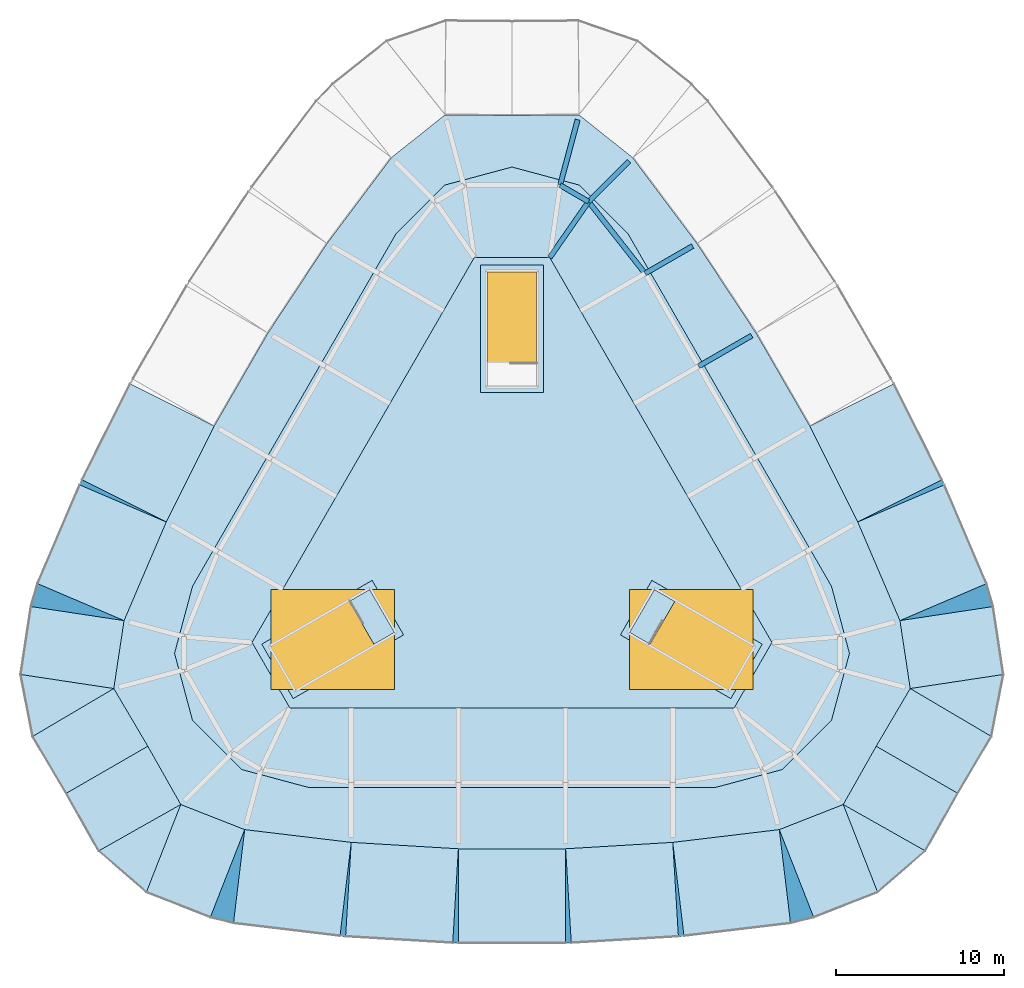
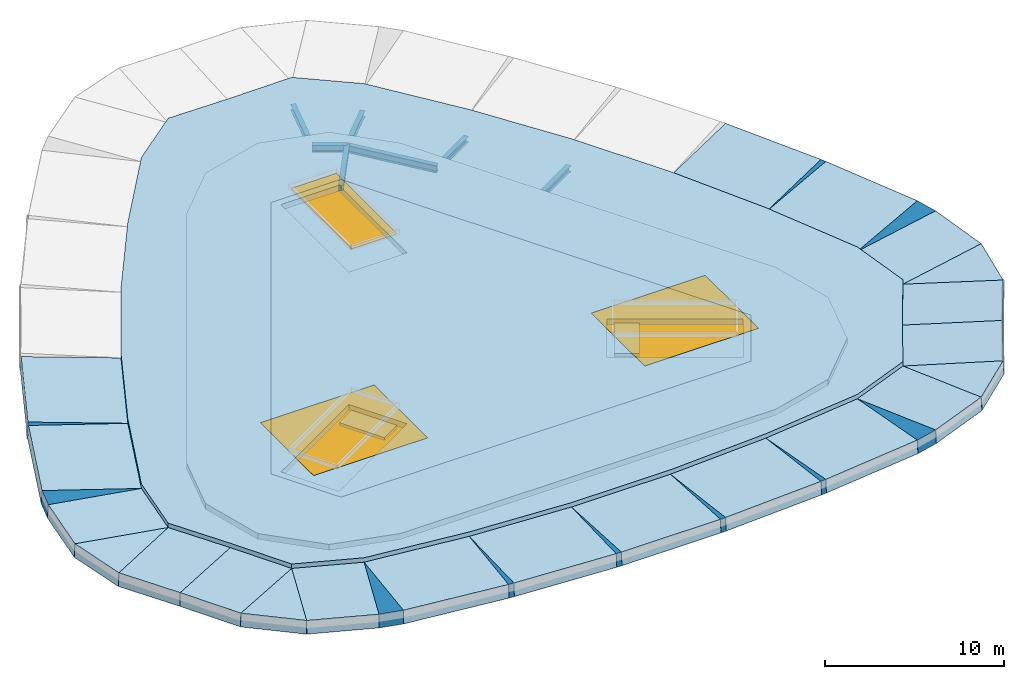
"""IFC4 building model written with IfcOpenShell, lengths in metres."""

import ifcopenshell
import ifcopenshell.guid

model = None  # the IFC model being written
_history = None  # IfcOwnerHistory: only IFC2X3 demands one
_inside = {}  # id of a spatial element -> (the spatial element, [elements in it])
_under = {}  # id of a project, library or spatial element -> (it, [spatial elements below it])
_declared = {}  # id of a project -> (the project, [libraries it declares])
_typed = {}  # id of a type object -> (the type object, [elements of that type])
_made_of = {}  # id of a material, layer set ... -> (it, [elements and type objects made of it])


def new_model(schema):
    """Start an empty IFC model of exactly this schema.

    Asked for "IFC4X3", IfcOpenShell would pick the latest addendum, in which some entities
    have other attributes; the version numbers below select the first issue.
    IFC2X3 requires an IfcOwnerHistory on every rooted entity: one is made here for all.
    """
    global model, _history
    if schema == "IFC4X3":
        model = ifcopenshell.file(schema_version=(4, 3, 0, 0))
    else:
        model = ifcopenshell.file(schema=schema)
    _inside.clear()
    _under.clear()
    _declared.clear()
    _typed.clear()
    _made_of.clear()
    _history = None
    if model.schema == "IFC2X3":
        org = make("IfcOrganization", Name="unknown")
        user = make(
            "IfcPersonAndOrganization",
            ThePerson=make("IfcPerson", FamilyName="unknown"),
            TheOrganization=org,
        )
        app = make(
            "IfcApplication",
            ApplicationDeveloper=org,
            Version="unknown",
            ApplicationFullName="unknown",
            ApplicationIdentifier="unknown",
        )
        _history = make(
            "IfcOwnerHistory",
            OwningUser=user,
            OwningApplication=app,
            ChangeAction="ADDED",
            CreationDate=0,
        )
    return model


def make(cls, **values):
    """One entity of the class cls with the attributes given. An attribute that is None is left unset."""
    return model.create_entity(
        cls, **{name: value for name, value in values.items() if value is not None}
    )


def rooted(cls, **values):
    """An entity with a GlobalId (a new one), such as an element, a storey or a relation."""
    return make(cls, GlobalId=ifcopenshell.guid.new(), OwnerHistory=_history, **values)


def si_unit(unit_type, name, prefix=None):
    """IfcSIUnit, for example si_unit("LENGTHUNIT", "METRE", prefix="MILLI")."""
    return make("IfcSIUnit", UnitType=unit_type, Prefix=prefix, Name=name)


def assignment(units):
    """IfcUnitAssignment: the units of a project."""
    return None if units is None else make("IfcUnitAssignment", Units=units)


def point(xyz):
    """IfcCartesianPoint."""
    return None if xyz is None else make("IfcCartesianPoint", Coordinates=xyz)


def direction(xyz):
    """IfcDirection."""
    return None if xyz is None else make("IfcDirection", DirectionRatios=xyz)


def frame(location, z_axis=None, x_axis=None):
    """IfcAxis2Placement3D, a coordinate frame: its origin and axes. An axis left out is left unset."""
    return make(
        "IfcAxis2Placement3D",
        Location=point(location),
        Axis=direction(z_axis),
        RefDirection=direction(x_axis),
    )


def frame_2d(location, x_axis=None):
    """IfcAxis2Placement2D, a coordinate frame in the plane: its origin and x axis."""
    return make(
        "IfcAxis2Placement2D", Location=point(location), RefDirection=direction(x_axis)
    )


def origin():
    """The frame at (0, 0, 0) with its axes left unset."""
    return frame((0.0, 0.0, 0.0))


def origin_2d():
    """The frame at (0, 0) in the plane with its x axis left unset."""
    return frame_2d((0.0, 0.0))


def place(relative_to, where):
    """IfcLocalPlacement: puts the frame where relative to a parent placement (None: the world)."""
    return make(
        "IfcLocalPlacement", PlacementRelTo=relative_to, RelativePlacement=where
    )


def context(
    kind, dimensions, precision=None, world=None, true_north=None, identifier=None
):
    """IfcGeometricRepresentationContext, for example the 3D "Model" context."""
    return make(
        "IfcGeometricRepresentationContext",
        ContextIdentifier=identifier,
        ContextType=kind,
        CoordinateSpaceDimension=dimensions,
        Precision=precision,
        WorldCoordinateSystem=world,
        TrueNorth=true_north,
    )


def subcontext(parent, identifier, kind, view, scale=None):
    """IfcGeometricRepresentationSubContext, for example "Body" below "Model"."""
    return make(
        "IfcGeometricRepresentationSubContext",
        ContextIdentifier=identifier,
        ContextType=kind,
        ParentContext=parent,
        TargetScale=scale,
        TargetView=view,
    )


def project(units=None, contexts=None):
    """IfcProject with its units and contexts."""
    return rooted(
        "IfcProject",
        Name="project",
        RepresentationContexts=contexts,
        UnitsInContext=assignment(units),
    )


def spatial(cls, under=None, at=None, **own):
    """A site, building, storey or space (cls), placed at a placement, below another one or the project."""
    s = rooted(cls, ObjectPlacement=at, **own)
    if under is not None:
        _under.setdefault(under.id(), (under, []))[1].append(s)
    return s


def polyline(points):
    """IfcPolyline through the points."""
    return make("IfcPolyline", Points=[point(p) for p in points])


def profile(cls, at=None, kind="AREA", **sizes):
    """A parametric profile (cls). Its sizes go by their IFC names, for example OverallWidth=200.0."""
    return make(cls, ProfileType=kind, Position=at, **sizes)


def rectangle(**sizes):
    """IfcRectangleProfileDef."""
    return profile("IfcRectangleProfileDef", **sizes)


def i_section(**sizes):
    """IfcIShapeProfileDef."""
    return profile("IfcIShapeProfileDef", **sizes)


def outline(outer, holes=None, kind="AREA"):
    """IfcArbitraryClosedProfileDef: a profile drawn as a closed curve; with holes, ...WithVoids."""
    if holes is None:
        return make("IfcArbitraryClosedProfileDef", ProfileType=kind, OuterCurve=outer)
    return make(
        "IfcArbitraryProfileDefWithVoids",
        ProfileType=kind,
        OuterCurve=outer,
        InnerCurves=holes,
    )


def extrude(swept, where, along, depth):
    """IfcExtrudedAreaSolid: the profile swept, set in the frame where, extruded along a direction by depth."""
    return make(
        "IfcExtrudedAreaSolid",
        SweptArea=swept,
        Position=where,
        ExtrudedDirection=direction(along),
        Depth=depth,
    )


def shape(context_of_items, identifier, shape_type, items):
    """IfcShapeRepresentation: the items that make up one representation, for example the "Body"."""
    return make(
        "IfcShapeRepresentation",
        ContextOfItems=context_of_items,
        RepresentationIdentifier=identifier,
        RepresentationType=shape_type,
        Items=items,
    )


def material(Name=None, Category=None):
    """IfcMaterial."""
    return make("IfcMaterial", Name=Name, Category=Category)


def layer(
    of_material, thickness, ventilated=None, Name=None, Category=None, Priority=None
):
    """IfcMaterialLayer: one layer of a wall or slab, of a material (None: an air gap)."""
    return make(
        "IfcMaterialLayer",
        Material=of_material,
        LayerThickness=thickness,
        IsVentilated=ventilated,
        Name=Name,
        Category=Category,
        Priority=Priority,
    )


def layer_set(layers, Name=None):
    """IfcMaterialLayerSet."""
    return make("IfcMaterialLayerSet", MaterialLayers=layers, LayerSetName=Name)


def material_profile(
    of_material, cross_section, Name=None, Category=None, Priority=None
):
    """IfcMaterialProfile: a cross section and its material."""
    return make(
        "IfcMaterialProfile",
        Name=Name,
        Material=of_material,
        Profile=cross_section,
        Priority=Priority,
        Category=Category,
    )


def profile_set(profiles, Name=None, composite=None):
    """IfcMaterialProfileSet."""
    return make(
        "IfcMaterialProfileSet",
        Name=Name,
        MaterialProfiles=profiles,
        CompositeProfile=composite,
    )


def made_of(thing, what):
    """Note that an element or type object is made of a material, layer set ...; save() writes the relation."""
    if what is not None:
        _made_of.setdefault(what.id(), (what, []))[1].append(thing)
    return thing


def type_object(cls, material=None, **own):
    """A type object (cls), such as IfcWallType, which elements share."""
    return made_of(rooted(cls, **own), material)


def element(
    cls,
    number,
    at=None,
    inside=None,
    cuts=None,
    type_object=None,
    material=None,
    context=None,
    identifier="Body",
    shape_type=None,
    held_by="IfcProductDefinitionShape",
    body=None,
    shapes=None,
    **own,
):
    """One element of the class cls, such as IfcWall. Its Tag is "e" and its number.

    at: its placement. inside: the storey or other place that contains it. cuts: it is an
    opening in that element (IfcRelVoidsElement). A single representation is given by context,
    identifier, shape_type and body (its items); several are given by shapes. held_by: the class
    of the entity that holds the representations. save() writes the other relations.
    """
    e = rooted(cls, Tag="e%d" % number, ObjectPlacement=at, **own)
    if body is not None:
        shapes = [shape(context, identifier, shape_type, body)]
    if shapes is not None:
        e.Representation = make(held_by, Representations=shapes)
    if inside is not None:
        _inside.setdefault(inside.id(), (inside, []))[1].append(e)
    if cuts is not None:
        rooted(
            "IfcRelVoidsElement", RelatingBuildingElement=cuts, RelatedOpeningElement=e
        )
    if type_object is not None:
        _typed.setdefault(type_object.id(), (type_object, []))[1].append(e)
    return made_of(e, material)


def fill(opening, filler):
    """IfcRelFillsElement: the door or window that sits in an opening."""
    return rooted(
        "IfcRelFillsElement",
        RelatingOpeningElement=opening,
        RelatedBuildingElement=filler,
    )


def aggregate(whole, parts):
    """IfcRelAggregates: a whole, such as a stair, and the parts it consists of."""
    return rooted("IfcRelAggregates", RelatingObject=whole, RelatedObjects=parts)


def save(model, path):
    """Write the relations noted so far, then the file.

    IfcRelAggregates (storeys below a building ...), IfcRelContainedInSpatialStructure (elements
    in a storey), IfcRelDefinesByType, IfcRelAssociatesMaterial and IfcRelDeclares: one each for
    every whole, place, type object, material and project.
    """
    for whole, parts in _under.values():
        aggregate(whole, parts)
    for where, things in _inside.values():
        rooted(
            "IfcRelContainedInSpatialStructure",
            RelatedElements=things,
            RelatingStructure=where,
        )
    for kind, things in _typed.values():
        rooted("IfcRelDefinesByType", RelatedObjects=things, RelatingType=kind)
    for what, things in _made_of.values():
        rooted("IfcRelAssociatesMaterial", RelatedObjects=things, RelatingMaterial=what)
    for by, libraries in _declared.values():
        rooted("IfcRelDeclares", RelatingContext=by, RelatedDefinitions=libraries)
    model.write(path)


model = new_model("IFC4")

# Units and contexts
model_context = context("Model", 3, precision=1e-05, world=origin(), true_north=direction((0.0, 1.0)))
body_context = subcontext(model_context, "Body", "Model", "MODEL_VIEW")
ifc_project = project(units=[si_unit("LENGTHUNIT", "METRE"), si_unit("AREAUNIT", "SQUARE_METRE"), si_unit("VOLUMEUNIT", "CUBIC_METRE"), si_unit("PLANEANGLEUNIT", "RADIAN"), si_unit("MASSUNIT", "GRAM", prefix="KILO")], contexts=[model_context])

# Site, building, storey
site_placement = place(None, origin())
site = spatial("IfcSite", under=ifc_project, at=site_placement, CompositionType="ELEMENT")
building_placement = place(site_placement, origin())
building = spatial("IfcBuilding", under=site, at=building_placement, Name="Mestral Congress Tower", CompositionType="ELEMENT")
storey_1_placement = place(building_placement, frame((0.0, 0.0, 348.60009765625)))
storey_1 = spatial("IfcBuildingStorey", under=building, at=storey_1_placement, Name="L81", CompositionType="ELEMENT", Elevation=348.60009765625)

# Beams
ifc_material_1 = material(Name="Steel S355", Category="steel")
ifc_material_profile_1 = material_profile(ifc_material_1, i_section(OverallWidth=0.300048828125, OverallDepth=0.39990234375, WebThickness=0.013427734375, FlangeThickness=0.02392578125, FilletRadius=0.027099609375, at=origin_2d()), Name="HEB 400")
ifc_profile_set_1 = profile_set([ifc_material_profile_1], Name="Steel S355")
beam_type_1 = type_object("IfcBeamType", Name="Floor beam HEB 400 S355", PredefinedType="BEAM", material=ifc_profile_set_1)
beam_1_placement = place(storey_1_placement, frame((2.251708984375, 16.60009765625, -0.60009765625), z_axis=(0.570662800291, 0.821184491064, 0.0), x_axis=(-0.821184491064, 0.570662800291, 0.0)))
element("IfcBeam", 1, at=beam_1_placement, inside=storey_1, type_object=beam_type_1, Name="BM-L81-KR15", PredefinedType="BEAM", context=body_context, shape_type="SweptSolid", body=[
    extrude(i_section(OverallWidth=0.300048828125, OverallDepth=0.39990234375, WebThickness=0.013427734375, FlangeThickness=0.02392578125, FilletRadius=0.027099609375, at=origin_2d()), origin(), (0.0, 0.0, 1.0), 4.060791015625),
])
beam_2_placement = place(storey_1_placement, frame((3.91455078125, 24.821533203125, -0.60009765625), z_axis=(-0.258802563966, -0.965930242246, 0.0), x_axis=(0.965930242246, -0.258802563966, 0.0)))
element("IfcBeam", 2, at=beam_2_placement, inside=storey_1, type_object=beam_type_1, Name="BM-L81-KT-C5-N1", PredefinedType="BEAM", context=body_context, shape_type="SweptSolid", body=[
    extrude(i_section(OverallWidth=0.300048828125, OverallDepth=0.39990234375, WebThickness=0.013427734375, FlangeThickness=0.02392578125, FilletRadius=0.027099609375, at=origin_2d()), origin(), (0.0, 0.0, 1.0), 4.03857421875),
])
beam_3_placement = place(storey_1_placement, frame((6.979736328125, 22.34521484375, -0.60009765625), z_axis=(-0.707142588594, -0.707070971966, 0.0), x_axis=(0.707070971966, -0.707142588594, 0.0)))
element("IfcBeam", 3, at=beam_3_placement, inside=storey_1, type_object=beam_type_1, Name="BM-L81-KT-C5-E05", PredefinedType="BEAM", context=body_context, shape_type="SweptSolid", body=[
    extrude(i_section(OverallWidth=0.300048828125, OverallDepth=0.39990234375, WebThickness=0.013427734375, FlangeThickness=0.02392578125, FilletRadius=0.027099609375, at=origin_2d()), origin(), (0.0, 0.0, 1.0), 3.408935546875),
])
beam_4_placement = place(storey_1_placement, frame((10.767822265625, 17.287109375, -0.60009765625), z_axis=(-0.866005234444, -0.500034932695, 0.0), x_axis=(0.500034932695, -0.866005234444, 0.0)))
element("IfcBeam", 4, at=beam_4_placement, inside=storey_1, type_object=beam_type_1, Name="BM-L81-KT-C5-E04", PredefinedType="BEAM", context=body_context, shape_type="SweptSolid", body=[
    extrude(i_section(OverallWidth=0.300048828125, OverallDepth=0.39990234375, WebThickness=0.013427734375, FlangeThickness=0.02392578125, FilletRadius=0.027099609375, at=origin_2d()), origin(), (0.0, 0.0, 1.0), 3.268798828125),
])
beam_5_placement = place(storey_1_placement, frame((14.2919921875, 11.946044921875, -0.60009765625), z_axis=(-0.866011828767, -0.500023511883, 0.0), x_axis=(0.500023511883, -0.866011828767, 0.0)))
element("IfcBeam", 5, at=beam_5_placement, inside=storey_1, type_object=beam_type_1, Name="BM-L81-KT-C5-E03", PredefinedType="BEAM", context=body_context, shape_type="SweptSolid", body=[
    extrude(i_section(OverallWidth=0.300048828125, OverallDepth=0.39990234375, WebThickness=0.013427734375, FlangeThickness=0.02392578125, FilletRadius=0.027099609375, at=origin_2d()), origin(), (0.0, 0.0, 1.0), 3.650146484375),
])
ifc_material_profile_2 = material_profile(ifc_material_1, i_section(OverallWidth=0.300048828125, OverallDepth=0.5, WebThickness=0.014404296875, FlangeThickness=0.028076171875, FilletRadius=0.027099609375, at=origin_2d()), Name="HEB 500")
ifc_profile_set_2 = profile_set([ifc_material_profile_2], Name="Steel S355")
beam_type_2 = type_object("IfcBeamType", Name="Floor beam HEB 500 S355", PredefinedType="BEAM", material=ifc_profile_set_2)
beam_6_placement = place(storey_1_placement, frame((2.869384765625, 20.920654296875, -0.650146484375), z_axis=(0.865029032264, -0.501721808716, 0.0), x_axis=(0.501721808716, 0.865029032264, 0.0)))
element("IfcBeam", 6, at=beam_6_placement, inside=storey_1, type_object=beam_type_2, Name="BM-L81-KG14", PredefinedType="BEAM", context=body_context, shape_type="SweptSolid", body=[
    extrude(i_section(OverallWidth=0.300048828125, OverallDepth=0.5, WebThickness=0.014404296875, FlangeThickness=0.028076171875, FilletRadius=0.027099609375, at=origin_2d()), origin(), (0.0, 0.0, 1.0), 1.96484375),
])
beam_7_placement = place(storey_1_placement, frame((4.569091796875, 19.934814453125, -0.650146484375), z_axis=(0.618197515987, -0.786022793071, 0.0), x_axis=(0.786022793071, 0.618197515987, 0.0)))
element("IfcBeam", 7, at=beam_7_placement, inside=storey_1, type_object=beam_type_2, Name="BM-L81-KG15", PredefinedType="BEAM", context=body_context, shape_type="SweptSolid", body=[
    extrude(i_section(OverallWidth=0.300048828125, OverallDepth=0.5, WebThickness=0.014404296875, FlangeThickness=0.028076171875, FilletRadius=0.027099609375, at=origin_2d()), origin(), (0.0, 0.0, 1.0), 5.447998046875),
])

# Slabs
ifc_layer_1 = layer(ifc_material_1, 0.89990234375)
ifc_layer_set_1 = layer_set([ifc_layer_1], Name="Steel S355")
slab_type_1 = type_object("IfcSlabType", Name="Canopy edge plate 900", PredefinedType="ROOF", material=ifc_layer_set_1)
slab_1_placement = place(storey_1_placement, frame((-15.940673828125, -17.511962890625, 0.89990234375), z_axis=(0.006793531803, 0.056655943488, 0.998370648604), x_axis=(0.992889823684, -0.119036960742, -1.079032e-06)))
element("IfcSlab", 8, at=slab_1_placement, inside=storey_1, type_object=slab_type_1, Name="SL-L81-CANF-00", PredefinedType="ROOF", context=body_context, shape_type="SweptSolid", body=[
    extrude(outline(polyline([(0.0, 0.0), (6.3990136936228605, 0.0), (6.3988875358586075, -5.609274747649567), (-0.00015521952224586153, -5.609032737868173), (0.0, 0.0)])), origin(), (0.0, 0.0, -1.0), 0.89990234375),
])
slab_2_placement = place(storey_1_placement, frame((-9.587158203125, -18.273681640625, 0.89990234375), z_axis=(0.003401687607, 0.056961122906, 0.99837060203), x_axis=(0.99822041689, -0.059632200215, 1.084832e-06)))
element("IfcSlab", 9, at=slab_2_placement, inside=storey_1, type_object=slab_type_1, Name="SL-L81-CANF-01", PredefinedType="ROOF", context=body_context, shape_type="SweptSolid", body=[
    extrude(outline(polyline([(0.0, 0.0), (6.399083036242648, 0.0), (6.399028043086219, -5.6089519933547844), (-4.0434513797195646e-05, -5.609195302416034), (0.0, 0.0)])), origin(), (0.0, 0.0, -1.0), 0.89990234375),
])
slab_3_placement = place(storey_1_placement, frame((-3.199462890625, -18.6552734375, 0.89990234375), z_axis=(0.0, 0.057063425811, 0.998370555172), x_axis=(1.0, 0.0, 0.0)))
element("IfcSlab", 10, at=slab_3_placement, inside=storey_1, type_object=slab_type_1, Name="SL-L81-CANF-02", PredefinedType="ROOF", context=body_context, shape_type="SweptSolid", body=[
    extrude(outline(polyline([(0.0, 0.0), (6.39892578125, 0.0), (6.39892578125, -5.608993060356795), (0.0, -5.608993060356795), (0.0, 0.0)])), origin(), (0.0, 0.0, -1.0), 0.89990234375),
])
slab_4_placement = place(storey_1_placement, frame((3.199462890625, -18.6552734375, 0.89990234375), z_axis=(-0.003401687607, 0.056961122906, 0.99837060203), x_axis=(0.99822041689, 0.059632200215, -1.084832e-06)))
element("IfcSlab", 11, at=slab_4_placement, inside=storey_1, type_object=slab_type_1, Name="SL-L81-CANF-03", PredefinedType="ROOF", context=body_context, shape_type="SweptSolid", body=[
    extrude(outline(polyline([(0.0, 0.0), (6.399083036242648, 0.0), (6.399123470756445, -5.609195302416034), (5.499315642775337e-05, -5.6089519933547844), (0.0, 0.0)])), origin(), (0.0, 0.0, -1.0), 0.89990234375),
])
slab_5_placement = place(storey_1_placement, frame((9.587158203125, -18.273681640625, 0.89990234375), z_axis=(-0.006793531803, 0.056655943488, 0.998370648604), x_axis=(0.992889823684, 0.119036960742, 1.079032e-06)))
element("IfcSlab", 12, at=slab_5_placement, inside=storey_1, type_object=slab_type_1, Name="SL-L81-CANF-04", PredefinedType="ROOF", context=body_context, shape_type="SweptSolid", body=[
    extrude(outline(polyline([(0.0, 0.0), (6.3990136936228605, 0.0), (6.399168913145107, -5.609032737868173), (0.0001261577642521968, -5.609274747649568), (0.0, 0.0)])), origin(), (0.0, 0.0, -1.0), 0.89990234375),
])
slab_6_placement = place(storey_1_placement, frame((15.940673828125, -17.511962890625, 0.89990234375), z_axis=(-0.020829810554, 0.05312366868, 0.998370670051), x_axis=(0.930991071019, 0.365041950579, 0.0)))
element("IfcSlab", 13, at=slab_6_placement, inside=storey_1, type_object=slab_type_1, Name="SL-L81-CANF-05", PredefinedType="ROOF", context=body_context, shape_type="SweptSolid", body=[
    extrude(outline(polyline([(0.0, 0.0), (4.096409538009598, -2.220446049250313e-16), (4.096340539726369, -5.6091906319081275), (-6.899828322892709e-05, -5.6091906319081275), (0.0, 0.0)])), origin(), (0.0, 0.0, -1.0), 0.89990234375),
])
slab_7_placement = place(storey_1_placement, frame((19.75439453125, -16.0166015625, 0.89990234375), z_axis=(-0.049687440519, 0.028058707311, 0.998370606137), x_axis=(0.491734876272, 0.870744974982, 1.070765e-06)))
element("IfcSlab", 14, at=slab_7_placement, inside=storey_1, type_object=slab_type_1, Name="SL-L81-CANF-06", PredefinedType="ROOF", context=body_context, shape_type="SweptSolid", body=[
    extrude(outline(polyline([(0.0, 0.0), (3.9937516524358636, 0.0), (3.9404656668021714, -5.609006767806048), (7.068230673219624e-05, -5.609155650171522), (0.0, 0.0)])), origin(), (0.0, 0.0, -1.0), 0.89990234375),
])
slab_8_placement = place(storey_1_placement, frame((21.71826171875, -12.5390625, 0.89990234375), z_axis=(-0.049143781267, 0.029001994969, 0.998370558986), x_axis=(0.508243174826, 0.861213606049, 7.8873e-08)))
element("IfcSlab", 15, at=slab_8_placement, inside=storey_1, type_object=slab_type_1, Name="SL-L81-CANF-07", PredefinedType="ROOF", context=body_context, shape_type="SweptSolid", body=[
    extrude(outline(polyline([(0.0, 0.0), (3.993728280642663, 0.0), (3.9938915553494336, -5.608994099389152), (0.053464825083424136, -5.609005065968122), (0.0, 0.0)])), origin(), (0.0, 0.0, -1.0), 0.89990234375),
])
slab_9_placement = place(storey_1_placement, frame((23.748046875, -9.099609375, 0.89990234375), z_axis=(-0.05642098313, -0.008524106821, 0.998370678789), x_axis=(-0.149409827583, 0.988775355386, -1.424932e-06)))
element("IfcSlab", 16, at=slab_9_placement, inside=storey_1, type_object=slab_type_1, Name="SL-L81-CANF-08", PredefinedType="ROOF", context=body_context, shape_type="SweptSolid", body=[
    extrude(outline(polyline([(0.0, 0.0), (4.096519130607194, 0.0), (4.096220839607104, -5.609307952876675), (-2.0413758153869514e-05, -5.609103363560463), (0.0, 0.0)])), origin(), (0.0, 0.0, -1.0), 0.89990234375),
])
slab_10_placement = place(storey_1_placement, frame((23.135986328125, -5.049072265625, 0.89990234375), z_axis=(-0.05246047329, -0.022445428046, 0.99837072348), x_axis=(-0.393362054292, 0.919383649106, 0.0)))
element("IfcSlab", 17, at=slab_10_placement, inside=storey_1, type_object=slab_type_1, Name="SL-L81-CANF-09", PredefinedType="ROOF", context=body_context, shape_type="SweptSolid", body=[
    extrude(outline(polyline([(0.0, 0.0), (6.398913713929209, -4.440892098500626e-16), (6.398910369913579, -5.609282527362257), (-3.3440156301800528e-06, -5.6092825273622555), (0.0, 0.0)])), origin(), (0.0, 0.0, -1.0), 0.89990234375),
])
slab_11_placement = place(storey_1_placement, frame((20.618896484375, 0.833984375, 0.89990234375), z_axis=(-0.051028827703, -0.025531829834, 0.998370765001), x_axis=(-0.447457757693, 0.89430506824, 0.0)))
element("IfcSlab", 18, at=slab_11_placement, inside=storey_1, type_object=slab_type_1, Name="SL-L81-CANF-10", PredefinedType="ROOF", context=body_context, shape_type="SweptSolid", body=[
    extrude(outline(polyline([(0.0, 0.0), (6.398997895941647, 0.0), (6.398997597871752, -5.609353944744232), (-2.980698949883731e-07, -5.609353944744232), (0.0, 0.0)])), origin(), (0.0, 0.0, -1.0), 0.89990234375),
])
slab_12_placement = place(storey_1_placement, frame((-17.755615234375, 6.556640625, 0.89990234375), z_axis=(0.051028827703, -0.025531829834, 0.998370765001), x_axis=(-0.447457757693, -0.89430506824, 0.0)))
element("IfcSlab", 19, at=slab_12_placement, inside=storey_1, type_object=slab_type_1, Name="SL-L81-CANF-21", PredefinedType="ROOF", context=body_context, shape_type="SweptSolid", body=[
    extrude(outline(polyline([(0.0, 0.0), (6.398997895941647, 0.0), (6.398998194011543, -5.609353944744232), (2.980698949883731e-07, -5.609353944744232), (0.0, 0.0)])), origin(), (0.0, 0.0, -1.0), 0.89990234375),
])
slab_13_placement = place(storey_1_placement, frame((-20.618896484375, 0.833984375, 0.89990234375), z_axis=(0.05246047329, -0.022445428046, 0.99837072348), x_axis=(-0.393362054292, -0.919383649106, 0.0)))
element("IfcSlab", 20, at=slab_13_placement, inside=storey_1, type_object=slab_type_1, Name="SL-L81-CANF-22", PredefinedType="ROOF", context=body_context, shape_type="SweptSolid", body=[
    extrude(outline(polyline([(0.0, 0.0), (6.398913713929209, 4.440892098500626e-16), (6.398917057944839, -5.6092825273622555), (3.3440156301800528e-06, -5.6092825273622555), (0.0, 0.0)])), origin(), (0.0, 0.0, -1.0), 0.89990234375),
])
slab_14_placement = place(storey_1_placement, frame((-23.135986328125, -5.049072265625, 0.89990234375), z_axis=(0.05642098313, -0.008524106821, 0.998370678789), x_axis=(-0.149409827583, -0.988775355386, 1.424932e-06)))
element("IfcSlab", 21, at=slab_14_placement, inside=storey_1, type_object=slab_type_1, Name="SL-L81-CANF-23", PredefinedType="ROOF", context=body_context, shape_type="SweptSolid", body=[
    extrude(outline(polyline([(0.0, 0.0), (4.096519130607194, 0.0), (4.096539544365347, -5.609103363560463), (0.00029829100008960064, -5.609307952876675), (0.0, 0.0)])), origin(), (0.0, 0.0, -1.0), 0.89990234375),
])
slab_15_placement = place(storey_1_placement, frame((-23.748046875, -9.099609375, 0.89990234375), z_axis=(0.049143781267, 0.029001994969, 0.998370558986), x_axis=(0.508243174826, -0.861213606049, -7.8873e-08)))
element("IfcSlab", 22, at=slab_15_placement, inside=storey_1, type_object=slab_type_1, Name="SL-L81-CANF-24", PredefinedType="ROOF", context=body_context, shape_type="SweptSolid", body=[
    extrude(outline(polyline([(0.0, 0.0), (3.993728280642663, 0.0), (3.9402634555592386, -5.609005065968122), (-0.00016327470677072903, -5.608994099389151), (0.0, 0.0)])), origin(), (0.0, 0.0, -1.0), 0.89990234375),
])
slab_16_placement = place(storey_1_placement, frame((-21.71826171875, -12.5390625, 0.89990234375), z_axis=(0.049687440519, 0.028058707311, 0.998370606137), x_axis=(0.491734876272, -0.870744974982, -1.070765e-06)))
element("IfcSlab", 23, at=slab_16_placement, inside=storey_1, type_object=slab_type_1, Name="SL-L81-CANF-25", PredefinedType="ROOF", context=body_context, shape_type="SweptSolid", body=[
    extrude(outline(polyline([(0.0, 0.0), (3.9937516524358636, 0.0), (3.993680970129132, -5.609155650171521), (0.053285985633692065, -5.609006767806048), (0.0, 0.0)])), origin(), (0.0, 0.0, -1.0), 0.89990234375),
])
slab_17_placement = place(storey_1_placement, frame((-19.75439453125, -16.0166015625, 0.89990234375), z_axis=(0.020829810554, 0.05312366868, 0.998370670051), x_axis=(0.930991071019, -0.365041950579, 0.0)))
element("IfcSlab", 24, at=slab_17_placement, inside=storey_1, type_object=slab_type_1, Name="SL-L81-CANF-26", PredefinedType="ROOF", context=body_context, shape_type="SweptSolid", body=[
    extrude(outline(polyline([(0.0, 0.0), (4.096409538009598, 2.220446049250313e-16), (4.096478536292826, -5.6091906319081275), (6.899828322892709e-05, -5.6091906319081275), (0.0, 0.0)])), origin(), (0.0, 0.0, -1.0), 0.89990234375),
])
slab_18_placement = place(storey_1_placement, frame((-15.940673828125, -17.511962890625, 0.89990234375), z_axis=(0.014030987348, 0.05578775942, 0.998344057574), x_axis=(-0.364435724709, -0.929478669672, 0.057061415872)))
element("IfcSlab", 25, at=slab_18_placement, inside=storey_1, type_object=slab_type_1, Name="SL-L81-CANW-00", PredefinedType="ROOF", context=body_context, shape_type="SweptSolid", body=[
    extrude(outline(polyline([(0.0, 0.0), (5.609190632332498, 2.2768245622195593e-16), (5.429206226437942, 1.4088889343824593), (0.0, 0.0)])), origin(), (0.0, 0.0, -1.0), 0.89990234375),
])
slab_19_placement = place(storey_1_placement, frame((-9.587158203125, -18.273681640625, 0.89990234375), z_axis=(0.005089357578, 0.056858970317, 0.998369248291), x_axis=(-0.118865285924, -0.991269456946, 0.057060560178)))
element("IfcSlab", 26, at=slab_19_placement, inside=storey_1, type_object=slab_type_1, Name="SL-L81-CANW-01", PredefinedType="ROOF", context=body_context, shape_type="SweptSolid", body=[
    extrude(outline(polyline([(0.0, 0.0), (5.609274749072534, 2.949029909160572e-17), (5.599245815730973, 0.3339434642998725), (0.0, 0.0)])), origin(), (0.0, 0.0, -1.0), 0.89990234375),
])
slab_20_placement = place(storey_1_placement, frame((-3.199462890625, -18.6552734375, 0.89990234375), z_axis=(0.001710231752, 0.057063342359, 0.998369095108), x_axis=(-0.059544880288, -0.996593259552, 0.057063843609)))
element("IfcSlab", 27, at=slab_20_placement, inside=storey_1, type_object=slab_type_1, Name="SL-L81-CANW-02", PredefinedType="ROOF", context=body_context, shape_type="SweptSolid", body=[
    extrude(outline(polyline([(0.0, 0.0), (5.608951993628687, 3.144186300207963e-18), (5.599040598952922, 0.3339873087522777), (0.0, 0.0)])), origin(), (0.0, 0.0, -1.0), 0.89990234375),
])
slab_21_placement = place(storey_1_placement, frame((3.199462890625, -18.6552734375, 0.89990234375), z_axis=(-0.001710231752, 0.057063342359, 0.998369095108), x_axis=(0.0, -0.998370555172, 0.057063425811)))
element("IfcSlab", 28, at=slab_21_placement, inside=storey_1, type_object=slab_type_1, Name="SL-L81-CANW-03", PredefinedType="ROOF", context=body_context, shape_type="SweptSolid", body=[
    extrude(outline(polyline([(0.0, 0.0), (5.608993060356795, 0.0), (5.5989996050926205, 0.3339848634352926), (0.0, 0.0)])), origin(), (0.0, 0.0, -1.0), 0.89990234375),
])
slab_22_placement = place(storey_1_placement, frame((9.587158203125, -18.273681640625, 0.89990234375), z_axis=(-0.005089357578, 0.056858970317, 0.998369248291), x_axis=(0.059542297421, -0.996593555597, 0.057061368362)))
element("IfcSlab", 29, at=slab_22_placement, inside=storey_1, type_object=slab_type_1, Name="SL-L81-CANW-04", PredefinedType="ROOF", context=body_context, shape_type="SweptSolid", body=[
    extrude(outline(polyline([(0.0, 0.0), (5.609195302566082, -9.432558900623889e-18), (5.599325121316681, 0.33394819414794497), (0.0, 0.0)])), origin(), (0.0, 0.0, -1.0), 0.89990234375),
])
slab_23_placement = place(storey_1_placement, frame((15.940673828125, -17.511962890625, 0.89990234375), z_axis=(-0.014030987348, 0.05578775942, 0.998344057574), x_axis=(0.118870414522, -0.99126870023, 0.057063022131)))
element("IfcSlab", 30, at=slab_23_placement, inside=storey_1, type_object=slab_type_1, Name="SL-L81-CANW-05", PredefinedType="ROOF", context=body_context, shape_type="SweptSolid", body=[
    extrude(outline(polyline([(0.0, 0.0), (5.609032740020142, 1.0104764247564901e-16), (5.429359056696756, 1.4089285941138274), (0.0, 0.0)])), origin(), (0.0, 0.0, -1.0), 0.89990234375),
])
slab_24_placement = place(storey_1_placement, frame((19.75439453125, -16.0166015625, 0.89990234375), z_axis=(-0.039704975835, 0.045710373132, 0.998165355381), x_axis=(0.364435724709, -0.929478669672, 0.057061415872)))
element("IfcSlab", 31, at=slab_24_placement, inside=storey_1, type_object=slab_type_1, Name="SL-L81-CANW-06", PredefinedType="ROOF", context=body_context, shape_type="SweptSolid", body=[
    extrude(outline(polyline([(0.0, 0.0), (5.609190632332498, -2.680147770384167e-16), (4.354802773693084, 3.535296298063356), (0.0, 0.0)])), origin(), (0.0, 0.0, -1.0), 0.89990234375),
])
slab_25_placement = place(storey_1_placement, frame((23.748046875, -9.099609375, 0.89990234375), z_axis=(-0.059440428364, 0.011530276677, 0.998165260964), x_axis=(0.859825098538, -0.507389955131, 0.057063415216)))
element("IfcSlab", 32, at=slab_25_placement, inside=storey_1, type_object=slab_type_1, Name="SL-L81-CANW-08", PredefinedType="ROOF", context=body_context, shape_type="SweptSolid", body=[
    extrude(outline(polyline([(0.0, 0.0), (5.60899410176558, -3.5388358909926865e-16), (4.354691893544399, 3.5353499198601144), (0.0, 0.0)])), origin(), (0.0, 0.0, -1.0), 0.89990234375),
])
slab_26_placement = place(storey_1_placement, frame((23.135986328125, -5.049072265625, 0.89990234375), z_axis=(-0.055328782883, -0.015737613427, 0.998344155744), x_axis=(0.987172313289, 0.149113899093, 0.057060222332)))
element("IfcSlab", 33, at=slab_26_placement, inside=storey_1, type_object=slab_type_1, Name="SL-L81-CANW-09", PredefinedType="ROOF", context=body_context, shape_type="SweptSolid", body=[
    extrude(outline(polyline([(0.0, 0.0), (5.609307960810962, -5.204170427930421e-18), (5.429379291491447, 1.4092164421786044), (0.0, 0.0)])), origin(), (0.0, 0.0, -1.0), 0.89990234375),
])
slab_27_placement = place(storey_1_placement, frame((20.618896484375, 0.833984375, 0.89990234375), z_axis=(-0.051795752985, -0.023998838007, 0.998369298279), x_axis=(0.917885953419, 0.392720610636, 0.057060481053)))
element("IfcSlab", 34, at=slab_27_placement, inside=storey_1, type_object=slab_type_1, Name="SL-L81-CANW-10", PredefinedType="ROOF", context=body_context, shape_type="SweptSolid", body=[
    extrude(outline(polyline([(0.0, 0.0), (5.609282527363253, -9.540979117872439e-17), (5.59941481607985, 0.3337744670930046), (0.0, 0.0)])), origin(), (0.0, 0.0, -1.0), 0.89990234375),
])
slab_28_placement = place(storey_1_placement, frame((-20.618896484375, 0.833984375, 0.89990234375), z_axis=(0.051795752985, -0.023998838007, 0.998369298279), x_axis=(-0.8928480589, 0.446728696332, 0.057059754569)))
element("IfcSlab", 35, at=slab_28_placement, inside=storey_1, type_object=slab_type_1, Name="SL-L81-CANW-22", PredefinedType="ROOF", context=body_context, shape_type="SweptSolid", body=[
    extrude(outline(polyline([(0.0, 0.0), (5.60935394474424, 1.863743534502582e-16), (5.599343525242232, 0.3337702175308421), (0.0, 0.0)])), origin(), (0.0, 0.0, -1.0), 0.89990234375),
])
slab_29_placement = place(storey_1_placement, frame((-23.135986328125, -5.049072265625, 0.89990234375), z_axis=(0.055328782883, -0.015737613427, 0.998344155744), x_axis=(-0.917885953419, 0.392720610636, 0.057060481053)))
element("IfcSlab", 36, at=slab_29_placement, inside=storey_1, type_object=slab_type_1, Name="SL-L81-CANW-23", PredefinedType="ROOF", context=body_context, shape_type="SweptSolid", body=[
    extrude(outline(polyline([(0.0, 0.0), (5.609282527363253, 2.714842239903703e-16), (5.42940390922707, 1.4092228318073168), (0.0, 0.0)])), origin(), (0.0, 0.0, -1.0), 0.89990234375),
])
slab_30_placement = place(storey_1_placement, frame((-23.748046875, -9.099609375, 0.89990234375), z_axis=(0.059440428364, 0.011530276677, 0.998165260964), x_axis=(-0.987164795524, 0.149162863944, 0.057062303657)))
element("IfcSlab", 37, at=slab_30_placement, inside=storey_1, type_object=slab_type_1, Name="SL-L81-CANW-24", PredefinedType="ROOF", context=body_context, shape_type="SweptSolid", body=[
    extrude(outline(polyline([(0.0, 0.0), (5.609103363600657, 1.708702623837155e-16), (4.3546070668623695, 3.535281053448702), (0.0, 0.0)])), origin(), (0.0, 0.0, -1.0), 0.89990234375),
])
slab_31_placement = place(storey_1_placement, frame((-19.75439453125, -16.0166015625, 0.89990234375), z_axis=(0.039704975835, 0.045710373132, 0.998165355381), x_axis=(-0.869332392762, -0.490922748609, 0.057061771737)))
element("IfcSlab", 38, at=slab_31_placement, inside=storey_1, type_object=slab_type_1, Name="SL-L81-CANW-26", PredefinedType="ROOF", context=body_context, shape_type="SweptSolid", body=[
    extrude(outline(polyline([(0.0, 0.0), (5.6091556506185, -1.5959455978986625e-16), (4.354829932587334, 3.53531834607409), (0.0, 0.0)])), origin(), (0.0, 0.0, -1.0), 0.89990234375),
])

# Slab, openings
ifc_layer_2 = layer(ifc_material_1, 1.199951171875)
ifc_layer_set_2 = layer_set([ifc_layer_2], Name="Steel S355")
slab_type_2 = type_object("IfcSlabType", Name="Canopy plate 1200", PredefinedType="ROOF", material=ifc_layer_set_2)
slab_32_placement = place(storey_1_placement, origin())
slab_32 = element("IfcSlab", 39, at=slab_32_placement, inside=storey_1, type_object=slab_type_2, Name="SL-L81-CANOPY", PredefinedType="ROOF", context=body_context, shape_type="SweptSolid", body=[
    extrude(outline(polyline([(-15.940673828125, -17.511962890625), (-9.587158203125, -18.273681640625), (-3.199462890625, -18.6552734375), (3.199462890625, -18.6552734375), (9.587158203125, -18.273681640625), (15.940673828125, -17.511962890625), (19.75439453125, -16.0166015625), (21.71826171875, -12.5390625), (23.748046875, -9.099609375), (23.135986328125, -5.049072265625), (20.618896484375, 0.833984375), (17.755615234375, 6.556640625), (14.55615234375, 12.098388671875), (11.031982421875, 17.439697265625), (7.1953125, 22.56103515625), (3.993408203125, 25.1162109375), (0.0, 25.078125), (-3.993408203125, 25.1162109375), (-7.1953125, 22.56103515625), (-11.031982421875, 17.439697265625), (-14.55615234375, 12.098388671875), (-17.755615234375, 6.556640625), (-20.618896484375, 0.833984375), (-23.135986328125, -5.049072265625), (-23.748046875, -9.099609375), (-21.71826171875, -12.5390625), (-19.75439453125, -16.0166015625), (-15.940673828125, -17.511962890625)]), holes=[polyline([(7.013427734375, -5.75244140625), (12.90234375, -9.15234375), (14.37744140625, -6.59765625), (8.48828125, -3.197509765625), (7.013427734375, -5.75244140625)]), polyline([(1.47509765625, 8.949951171875), (1.47509765625, 15.75), (-1.47509765625, 15.75), (-1.47509765625, 8.949951171875), (1.47509765625, 8.949951171875)]), polyline([(-8.48828125, -3.197509765625), (-14.37744140625, -6.59765625), (-12.90234375, -9.15234375), (-7.013427734375, -5.75244140625), (-8.48828125, -3.197509765625)])]), origin(), (0.0, 0.0, 1.0), 1.199951171875),
])
opening_1_placement = place(slab_32_placement, frame((10.6953125, -6.175048828125, 0.0)))
opening_1 = element("IfcOpeningElement", 40, at=opening_1_placement, cuts=slab_32, Name="Opening RH2", PredefinedType="OPENING", context=body_context, shape_type="SweptSolid", body=[
    extrude(rectangle(XDim=7.364013671875, YDim=5.955078125, at=origin_2d()), origin(), (0.0, 0.0, 1.0), 1.199951171875),
])
opening_2_placement = place(slab_32_placement, frame((0.0, 12.35009765625, 0.0)))
opening_2 = element("IfcOpeningElement", 41, at=opening_2_placement, cuts=slab_32, Name="Opening RH1", PredefinedType="OPENING", context=body_context, shape_type="SweptSolid", body=[
    extrude(rectangle(XDim=2.949951171875, YDim=6.800048828125, at=origin_2d()), origin(), (0.0, 0.0, 1.0), 1.199951171875),
])
opening_3_placement = place(slab_32_placement, frame((-10.6953125, -6.175048828125, 0.0)))
opening_3 = element("IfcOpeningElement", 42, at=opening_3_placement, cuts=slab_32, Name="Opening RH2", PredefinedType="OPENING", context=body_context, shape_type="SweptSolid", body=[
    extrude(rectangle(XDim=7.364013671875, YDim=5.955078125, at=origin_2d()), origin(), (0.0, 0.0, 1.0), 1.199951171875),
])

# Storey
storey_2_placement = place(building_placement, frame((0.0, 0.0, 344.39990234375)))
storey_2 = spatial("IfcBuildingStorey", under=building, at=storey_2_placement, Name="L80", CompositionType="ELEMENT", Elevation=344.39990234375)

# Window
window_type_1 = type_object("IfcWindowType", Name="Crown roof hatch 2950 x 6800", PartitioningType="SINGLE_PANEL", PredefinedType="WINDOW", material=ifc_material_1)
window_1_placement = place(opening_2_placement, frame((0.0, 0.0, 1.14990234375)))
window_1 = element("IfcWindow", 43, at=window_1_placement, inside=storey_2, type_object=window_type_1, Name="Roof hatch RH1", OverallHeight=6.800048828125, OverallWidth=2.949951171875, PartitioningType="SINGLE_PANEL", PredefinedType="WINDOW", context=body_context, shape_type="SweptSolid", body=[
    extrude(rectangle(XDim=2.949951171875, YDim=6.800048828125, at=origin_2d()), origin(), (0.0, 0.0, 1.0), 0.050048828125),
])

fill(opening_2, window_1)

window_type_2 = type_object("IfcWindowType", Name="Crown roof hatch 7364 x 5955", PartitioningType="SINGLE_PANEL", PredefinedType="WINDOW", material=ifc_material_1)
window_2_placement = place(opening_1_placement, frame((0.0, 0.0, 1.14990234375)))
window_2 = element("IfcWindow", 44, at=window_2_placement, inside=storey_2, type_object=window_type_2, Name="Roof hatch RH2", OverallHeight=5.955078125, OverallWidth=7.364013671875, PartitioningType="SINGLE_PANEL", PredefinedType="WINDOW", context=body_context, shape_type="SweptSolid", body=[
    extrude(rectangle(XDim=7.364013671875, YDim=5.955078125, at=origin_2d()), origin(), (0.0, 0.0, 1.0), 0.050048828125),
])

fill(opening_1, window_2)

window_3_placement = place(opening_3_placement, frame((0.0, 0.0, 1.14990234375)))
window_3 = element("IfcWindow", 45, at=window_3_placement, inside=storey_2, type_object=window_type_2, Name="Roof hatch RH2", OverallHeight=5.955078125, OverallWidth=7.364013671875, PartitioningType="SINGLE_PANEL", PredefinedType="WINDOW", context=body_context, shape_type="SweptSolid", body=[
    extrude(rectangle(XDim=7.364013671875, YDim=5.955078125, at=origin_2d()), origin(), (0.0, 0.0, 1.0), 0.050048828125),
])

fill(opening_3, window_3)

# Slabs
ifc_material_2 = material(Name="Concrete C60/75", Category="concrete")
ifc_layer_3 = layer(ifc_material_2, 0.39990234375)
ifc_layer_set_3 = layer_set([ifc_layer_3], Name="Concrete C60/75")
slab_type_3 = type_object("IfcSlabType", Name="Core roof slab RC 400", PredefinedType="ROOF", material=ifc_layer_set_3)
placement_1 = place(storey_1_placement, frame((0.0, 0.0, -0.400146484375)))
element("IfcSlab", 46, at=placement_1, inside=storey_1, type_object=slab_type_3, Name="L81 core floor", PredefinedType="ROOF", context=body_context, shape_type="SweptSolid", body=[
    extrude(outline(polyline([(13.250244140625, -10.25), (-13.250244140625, -10.25), (-15.501953125, -6.35009765625), (-2.251708984375, 16.60009765625), (2.251708984375, 16.60009765625), (15.501953125, -6.35009765625), (13.250244140625, -10.25)]), holes=[polyline([(-14.923828125, -6.451171875), (-13.048828125, -9.69873046875), (-6.467041015625, -5.898681640625), (-8.342041015625, -2.651123046875), (-14.923828125, -6.451171875)]), polyline([(6.467041015625, -5.898681640625), (13.048828125, -9.69873046875), (14.923828125, -6.451171875), (8.342041015625, -2.651123046875), (6.467041015625, -5.898681640625)]), polyline([(1.875, 8.550048828125), (1.875, 16.14990234375), (-1.875, 16.14990234375), (-1.875, 8.550048828125), (1.875, 8.550048828125)])]), origin(), (0.0, 0.0, 1.0), 0.400146484375),
])
ifc_layer_4 = layer(ifc_material_2, 0.199951171875)
ifc_layer_set_4 = layer_set([ifc_layer_4], Name="Concrete C60/75")
slab_type_4 = type_object("IfcSlabType", Name="Exit stair landing 200", PredefinedType="LANDING", material=ifc_layer_set_4)
placement_2 = place(storey_1_placement, frame((0.0, 0.0, -0.2001953125)))
element("IfcSlab", 47, at=placement_2, inside=storey_1, type_object=slab_type_4, Name="L81 ST1 top landing", PredefinedType="LANDING", context=body_context, shape_type="SweptSolid", body=[
    extrude(outline(polyline([(8.234619140625, -6.45751953125), (7.013427734375, -5.75244140625), (8.48828125, -3.197509765625), (9.70947265625, -3.902587890625), (8.234619140625, -6.45751953125)])), origin(), (0.0, 0.0, 1.0), 0.2001953125),
])
element("IfcSlab", 48, at=placement_2, inside=storey_1, type_object=slab_type_4, Name="L81 ST3 top landing", PredefinedType="LANDING", context=body_context, shape_type="SweptSolid", body=[
    extrude(outline(polyline([(-9.70947265625, -3.902587890625), (-8.48828125, -3.197509765625), (-7.013427734375, -5.75244140625), (-8.234619140625, -6.45751953125), (-9.70947265625, -3.902587890625)])), origin(), (0.0, 0.0, 1.0), 0.2001953125),
])
ifc_material_3 = material(Name="Concrete C35/45", Category="concrete")
ifc_layer_5 = layer(ifc_material_3, 0.39990234375)
ifc_layer_set_5 = layer_set([ifc_layer_5], Name="Concrete C35/45")
slab_type_5 = type_object("IfcSlabType", Name="Plant roof slab 400", PredefinedType="ROOF", material=ifc_layer_set_5)
element("IfcSlab", 49, at=placement_1, inside=storey_1, type_object=slab_type_5, Name="SL-L81-PLANT", PredefinedType="ROOF", context=body_context, shape_type="SweptSolid", body=[
    extrude(outline(polyline([(12.12451171875, -15.0), (16.12451171875, -13.92822265625), (19.052490234375, -11.0), (20.12451171875, -7.0), (19.052490234375, -3.0), (6.92822265625, 18.0), (4.0, 20.92822265625), (0.0, 22.0), (-4.0, 20.92822265625), (-6.92822265625, 18.0), (-19.052490234375, -3.0), (-20.12451171875, -7.0), (-19.052490234375, -11.0), (-16.12451171875, -13.92822265625), (-12.12451171875, -15.0), (12.12451171875, -15.0)]), holes=[polyline([(-2.251708984375, 16.60009765625), (-15.501953125, -6.35009765625), (-13.250244140625, -10.25), (13.250244140625, -10.25), (15.501953125, -6.35009765625), (2.251708984375, 16.60009765625), (-2.251708984375, 16.60009765625)])]), origin(), (0.0, 0.0, 1.0), 0.400146484375),
])

save(model, "model.ifc")
